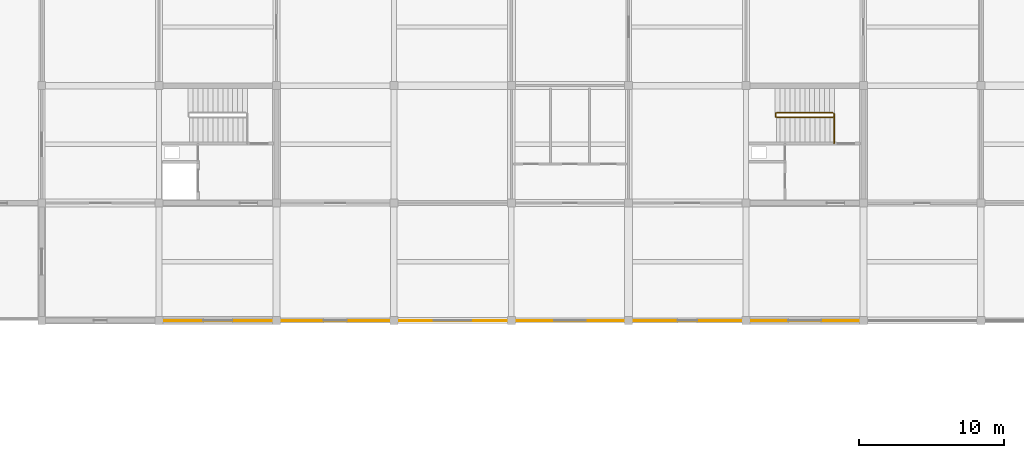
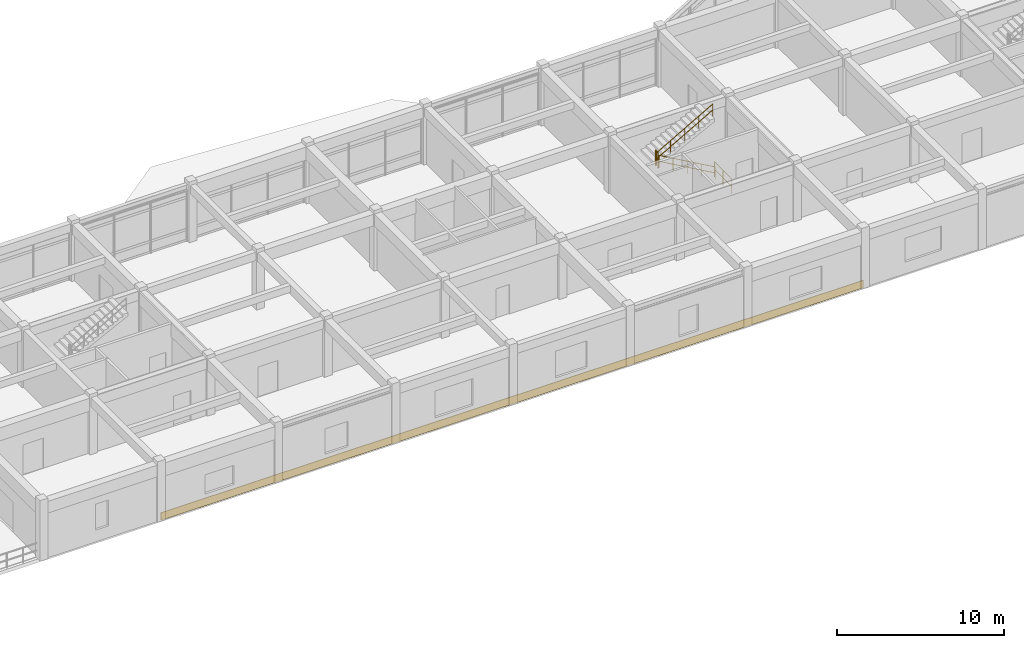
# One storey, part 39 of 42: 4 railings, 1 covering.
"""IFC4 building model written with IfcOpenShell, lengths in metres."""

from ifc_helpers import new_model, si_unit, direction, frame, origin, origin_2d, place, context, subcontext, project, spatial, rectangle, circle, extrude, material, layer, layer_set, type_object, element, save


model = new_model("IFC4")

# Units and contexts
model_context = context("Model", 3, precision=1e-05, world=origin(), true_north=direction((0.0, 1.0)))
body_context = subcontext(model_context, "Body", "Model", "MODEL_VIEW")
ifc_project = project(units=[si_unit("LENGTHUNIT", "METRE"), si_unit("AREAUNIT", "SQUARE_METRE"), si_unit("VOLUMEUNIT", "CUBIC_METRE"), si_unit("PLANEANGLEUNIT", "RADIAN"), si_unit("MASSUNIT", "GRAM", prefix="KILO")], contexts=[model_context])

# Site, building, storey
site_placement = place(None, origin())
site = spatial("IfcSite", under=ifc_project, at=site_placement, CompositionType="ELEMENT")
building_placement = place(site_placement, origin())
building = spatial("IfcBuilding", under=site, at=building_placement, Name="Vaudrelin Polytechnic", CompositionType="ELEMENT")
storey_placement = place(building_placement, frame((0.0, 0.0, 18.530029296875)))
storey = spatial("IfcBuildingStorey", under=building, at=storey_placement, Name="L04", CompositionType="ELEMENT", Elevation=18.530029296875)

# Covering
ifc_material_1 = material(Name="Pre-weathered quartz-zinc standing seam", Category="metal")
ifc_layer = layer(ifc_material_1, 0.044921875)
ifc_layer_set = layer_set([ifc_layer], Name="Pre-weathered quartz-zinc standing seam")
covering_type = type_object("IfcCoveringType", Name="ENV-CLD-ZNC", PredefinedType="CLADDING", material=ifc_layer_set)
covering_placement = place(storey_placement, frame((40.550048828125, 97.179931640625, -0.125), z_axis=(0.0, 0.0, 1.0), x_axis=(1.0, 0.0, 0.0)))
element("IfcCovering", 1, at=covering_placement, inside=storey, type_object=covering_type, Name="Standing-seam zinc fascia cladding CLD-07", PredefinedType="CLADDING", context=body_context, shape_type="SweptSolid", body=[
    extrude(rectangle(XDim=48.5, YDim=0.044921875, at=origin_2d()), origin(), (0.0, 0.0, 1.0), 0.550048828125),
])

# Railings
ifc_material_2 = material(Name="Brushed stainless steel AISI 304", Category="steel")
railing_type_1 = type_object("IfcRailingType", Name="RAL-GR-INT", PredefinedType="GUARDRAIL", material=ifc_material_2)
railing_1_placement = place(storey_placement, frame((62.780029296875, 109.409912109375, 0.0)))
element("IfcRailing", 2, at=railing_1_placement, inside=storey, type_object=railing_type_1, Name="ST-09-L03 upper well guardrail", PredefinedType="GUARDRAIL", context=body_context, shape_type="SweptSolid", body=[
    extrude(circle(Radius=0.02392578125, at=origin_2d()), frame((0.0, 0.023193359375, 1.09619140625), z_axis=(0.0, 1.0, 0.0), x_axis=(-1.0, 0.0, 0.0)), (0.0, 0.0, 1.0), 2.02392578125),
    extrude(circle(Radius=0.02392578125, at=origin_2d()), frame((0.0, 0.023193359375, 0.56005859375), z_axis=(0.0, 1.0, 0.0), x_axis=(-1.0, 0.0, 0.0)), (0.0, 0.0, 1.0), 2.02392578125),
    extrude(circle(Radius=0.02099609375, at=origin_2d()), origin(), (0.0, 0.0, 1.0), 1.1201171875),
    extrude(circle(Radius=0.02099609375, at=origin_2d()), frame((0.0, 1.03515625, 0.0)), (0.0, 0.0, 1.0), 1.1201171875),
    extrude(circle(Radius=0.02099609375, at=origin_2d()), frame((0.0, 2.070068359375, 0.0)), (0.0, 0.0, 1.0), 1.1201171875),
])
railing_2_placement = place(storey_placement, frame((58.75, 111.239990234375, 2.2099609375)))
element("IfcRailing", 3, at=railing_2_placement, inside=storey, type_object=railing_type_1, Name="ST-09-L04 landing well guardrail", PredefinedType="GUARDRAIL", context=body_context, shape_type="SweptSolid", body=[
    extrude(circle(Radius=0.02392578125, at=origin_2d()), frame((0.0, 0.023193359375, 1.09619140625), z_axis=(0.0, 1.0, 0.0), x_axis=(-1.0, 0.0, 0.0)), (0.0, 0.0, 1.0), 0.23388671875),
    extrude(circle(Radius=0.02392578125, at=origin_2d()), frame((0.0, 0.023193359375, 0.56005859375), z_axis=(0.0, 1.0, 0.0), x_axis=(-1.0, 0.0, 0.0)), (0.0, 0.0, 1.0), 0.23388671875),
    extrude(circle(Radius=0.02099609375, at=origin_2d()), origin(), (0.0, 0.0, 1.0), 1.1201171875),
    extrude(circle(Radius=0.02099609375, at=origin_2d()), frame((0.0, 0.280029296875, 0.0)), (0.0, 0.0, 1.0), 1.1201171875),
])
railing_type_2 = type_object("IfcRailingType", Name="RAL-HR-STR", PredefinedType="HANDRAIL", material=ifc_material_2)
railing_3_placement = place(storey_placement, frame((62.699951171875, 111.22998046875, 0.0)))
element("IfcRailing", 4, at=railing_3_placement, inside=storey, type_object=railing_type_2, Name="ST-09-L04 flight 1 handrail", PredefinedType="HANDRAIL", context=body_context, shape_type="SweptSolid", body=[
    extrude(circle(Radius=0.02392578125, at=origin_2d()), frame((-0.02001953125, 0.0, 0.9072265625), z_axis=(-0.86947626696, 0.0, 0.493974717161), x_axis=(0.0, -1.0, 0.0)), (0.0, 0.0, 1.0), 4.427734375),
    extrude(circle(Radius=0.02392578125, at=origin_2d()), frame((-0.02001953125, 0.0, 0.471435546875), z_axis=(-0.86947626696, 0.0, 0.493974717161), x_axis=(0.0, -1.0, 0.0)), (0.0, 0.0, 1.0), 4.427734375),
    extrude(circle(Radius=0.02099609375, at=origin_2d()), origin(), (0.0, 0.0, 1.0), 0.919921875),
    extrude(circle(Radius=0.02099609375, at=origin_2d()), frame((-0.972412109375, 0.0, 0.552490234375)), (0.0, 0.0, 1.0), 0.919921875),
    extrude(circle(Radius=0.02099609375, at=origin_2d()), frame((-1.94482421875, 0.0, 1.10498046875)), (0.0, 0.0, 1.0), 0.919921875),
    extrude(circle(Radius=0.02099609375, at=origin_2d()), frame((-2.91748046875, 0.0, 1.657470703125)), (0.0, 0.0, 1.0), 0.919921875),
    extrude(circle(Radius=0.02099609375, at=origin_2d()), frame((-3.889892578125, 0.0, 2.2099609375)), (0.0, 0.0, 1.0), 0.919921875),
])
railing_4_placement = place(storey_placement, frame((58.81005859375, 111.530029296875, 2.2099609375)))
element("IfcRailing", 5, at=railing_4_placement, inside=storey, type_object=railing_type_2, Name="ST-09-L04 flight 2 handrail", PredefinedType="HANDRAIL", context=body_context, shape_type="SweptSolid", body=[
    extrude(circle(Radius=0.02392578125, at=origin_2d()), frame((0.02001953125, 0.0, 0.9072265625), z_axis=(0.86947626696, 0.0, 0.493974717161), x_axis=(0.0, 1.0, 0.0)), (0.0, 0.0, 1.0), 4.427734375),
    extrude(circle(Radius=0.02392578125, at=origin_2d()), frame((0.02001953125, 0.0, 0.471435546875), z_axis=(0.86947626696, 0.0, 0.493974717161), x_axis=(0.0, 1.0, 0.0)), (0.0, 0.0, 1.0), 4.427734375),
    extrude(circle(Radius=0.02099609375, at=origin_2d()), origin(), (0.0, 0.0, 1.0), 0.919921875),
    extrude(circle(Radius=0.02099609375, at=origin_2d()), frame((0.972412109375, 0.0, 0.552490234375)), (0.0, 0.0, 1.0), 0.919921875),
    extrude(circle(Radius=0.02099609375, at=origin_2d()), frame((1.94482421875, 0.0, 1.10498046875)), (0.0, 0.0, 1.0), 0.919921875),
    extrude(circle(Radius=0.02099609375, at=origin_2d()), frame((2.91748046875, 0.0, 1.657470703125)), (0.0, 0.0, 1.0), 0.919921875),
    extrude(circle(Radius=0.02099609375, at=origin_2d()), frame((3.889892578125, 0.0, 2.2099609375)), (0.0, 0.0, 1.0), 0.919921875),
])

save(model, "model.ifc")
